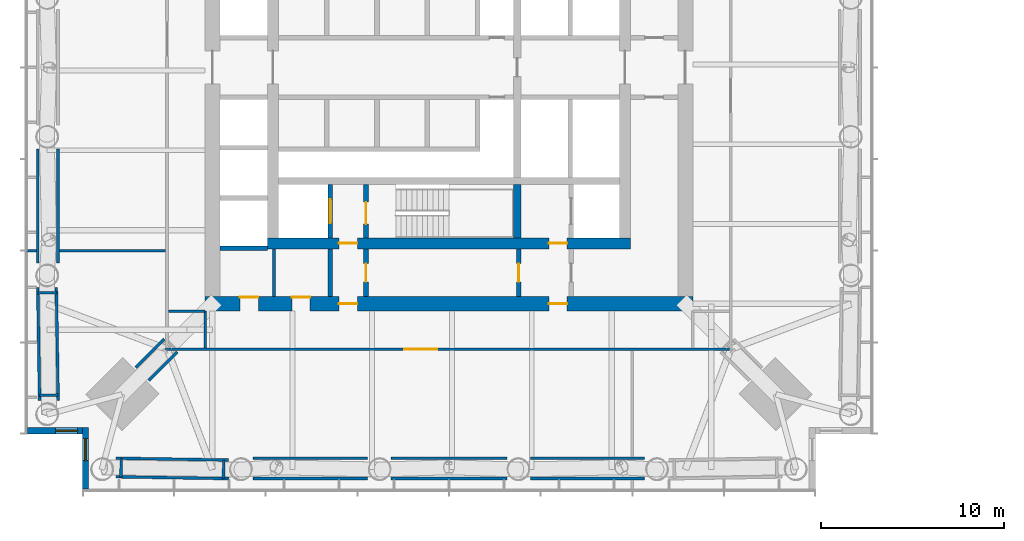
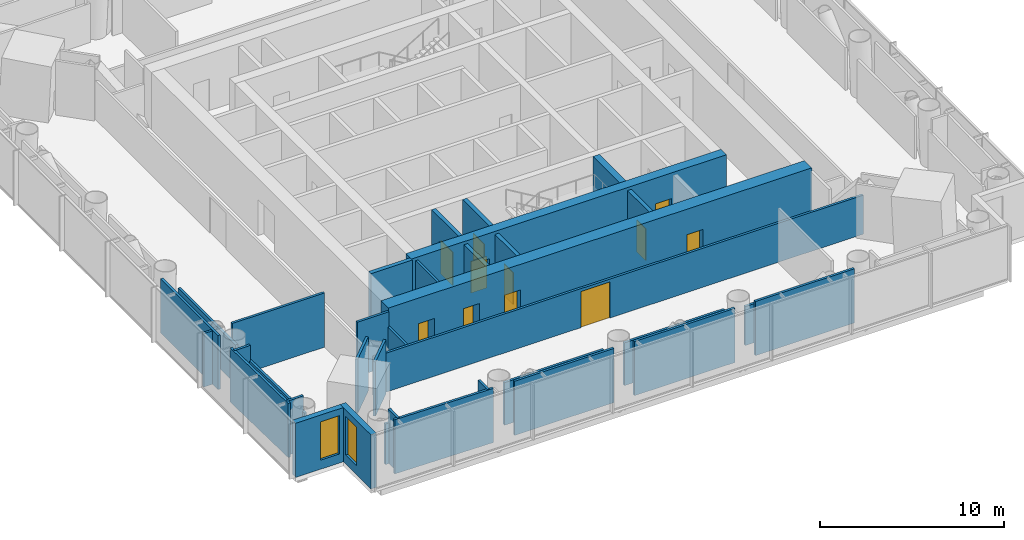
# One storey, part 10 of 18: 35 walls, 11 doors, 2 windows, 13 openings.
"""IFC4 building model written with IfcOpenShell, lengths in metres."""

from ifc_helpers import new_model, si_unit, direction, frame, frame_2d, origin, place, context, subcontext, project, spatial, rectangle, extrude, material, layer, layer_set, type_object, element, fill, save


model = new_model("IFC4")

# Units and contexts
model_context = context("Model", 3, precision=1e-05, world=origin(), true_north=direction((0.0, 1.0)))
body_context = subcontext(model_context, "Body", "Model", "MODEL_VIEW")
ifc_project = project(units=[si_unit("LENGTHUNIT", "METRE"), si_unit("AREAUNIT", "SQUARE_METRE"), si_unit("VOLUMEUNIT", "CUBIC_METRE"), si_unit("PLANEANGLEUNIT", "RADIAN"), si_unit("MASSUNIT", "GRAM", prefix="KILO")], contexts=[model_context])

# Site, building, storey
site_placement = place(None, origin())
site = spatial("IfcSite", under=ifc_project, at=site_placement, CompositionType="ELEMENT")
building_placement = place(site_placement, origin())
building = spatial("IfcBuilding", under=site, at=building_placement, Name="Ostroluk Exchange", CompositionType="ELEMENT")
storey_placement = place(building_placement, frame((0.0, 0.0, 85.60009765625)))
storey = spatial("IfcBuildingStorey", under=building, at=storey_placement, Name="L21", CompositionType="ELEMENT", Elevation=85.60009765625)

# Walls
ifc_material_1 = material(Name="Concrete blockwork", Category="masonry")
ifc_layer_1 = layer(ifc_material_1, 0.14990234375)
ifc_layer_set_1 = layer_set([ifc_layer_1], Name="Blockwork plant room wall 150")
wall_type_1 = type_object("IfcWallType", Name="Blockwork plant room wall 150", PredefinedType="SOLIDWALL", material=ifc_layer_set_1)
wall_1_placement = place(storey_placement, frame((35.449951171875, 33.5, 0.0), z_axis=(0.0, 0.0, 1.0), x_axis=(0.0, 1.0, 0.0)))
element("IfcWall", 1, at=wall_1_placement, inside=storey, type_object=wall_type_1, Name="Core room wall", PredefinedType="SOLIDWALL", context=body_context, shape_type="SweptSolid", body=[
    extrude(rectangle(XDim=2.60009765625, YDim=0.14990234375, at=frame_2d((1.300048828125, 0.0))), origin(), (0.0, 0.0, 1.0), 3.599853515625),
])
ifc_material_2 = material(Name="Concrete blockwork", Category="masonry")
ifc_layer_2 = layer(ifc_material_2, 0.25)
ifc_layer_set_2 = layer_set([ifc_layer_2], Name="Blockwork stair enclosure wall 250")
wall_type_2 = type_object("IfcWallType", Name="Blockwork stair enclosure wall 250", PredefinedType="SOLIDWALL", material=ifc_layer_set_2)
wall_2_placement = place(storey_placement, frame((38.52490234375, 33.5, 0.0), z_axis=(0.0, 0.0, 1.0), x_axis=(0.0, 1.0, 0.0)))
element("IfcWall", 2, at=wall_2_placement, inside=storey, type_object=wall_type_2, Name="Fire lobby enclosure wall", PredefinedType="SOLIDWALL", context=body_context, shape_type="SweptSolid", body=[
    extrude(rectangle(XDim=2.60009765625, YDim=0.25, at=frame_2d((1.300048828125, 0.0))), origin(), (0.0, 0.0, 1.0), 3.599853515625),
])

# Wall, opening, door
wall_3_placement = place(storey_placement, frame((40.47509765625, 33.5, 0.0), z_axis=(0.0, 0.0, 1.0), x_axis=(0.0, 1.0, 0.0)))
wall_3 = element("IfcWall", 3, at=wall_3_placement, inside=storey, type_object=wall_type_2, Name="Fire lobby enclosure wall", PredefinedType="SOLIDWALL", context=body_context, shape_type="SweptSolid", body=[
    extrude(rectangle(XDim=2.60009765625, YDim=0.25, at=frame_2d((1.300048828125, 0.0))), origin(), (0.0, 0.0, 1.0), 3.599853515625),
])
opening_1_placement = place(wall_3_placement, frame((0.800048828125, 0.0, 0.0)))
opening_1 = element("IfcOpeningElement", 4, at=opening_1_placement, cuts=wall_3, Name="Opening FD60", PredefinedType="OPENING", context=body_context, shape_type="SweptSolid", body=[
    extrude(rectangle(XDim=1.0, YDim=2.10009765625, at=frame_2d((0.5, 1.050048828125))), frame((0.0, 0.135009765625, 0.0), z_axis=(0.0, -1.0, 0.0), x_axis=(1.0, 0.0, 0.0)), (0.0, 0.0, 1.0), 0.27001953125),
])
ifc_material_3 = material(Name="Steel", Category="steel")
door_type_1 = type_object("IfcDoorType", Name="Fire door EI 60 1000 x 2100", OperationType="SINGLE_SWING_LEFT", PredefinedType="DOOR", material=ifc_material_3)
door_1_placement = place(opening_1_placement, origin())
door_1 = element("IfcDoor", 5, at=door_1_placement, inside=storey, type_object=door_type_1, Name="Core link door", OperationType="SINGLE_SWING_LEFT", OverallHeight=2.10009765625, OverallWidth=1.0, PredefinedType="DOOR", context=body_context, shape_type="SweptSolid", body=[
    extrude(rectangle(XDim=1.0, YDim=2.10009765625, at=frame_2d((0.5, 1.050048828125))), frame((0.0, 0.02490234375, 0.0), z_axis=(0.0, -1.0, 0.0), x_axis=(1.0, 0.0, 0.0)), (0.0, 0.0, 1.0), 0.050048828125),
])
fill(opening_1, door_1)

wall_4_placement = place(storey_placement, frame((48.804931640625, 33.5, 0.0), z_axis=(0.0, 0.0, 1.0), x_axis=(0.0, 1.0, 0.0)))
wall_4 = element("IfcWall", 6, at=wall_4_placement, inside=storey, type_object=wall_type_2, Name="Service lobby enclosure wall", PredefinedType="SOLIDWALL", context=body_context, shape_type="SweptSolid", body=[
    extrude(rectangle(XDim=2.60009765625, YDim=0.25, at=frame_2d((1.300048828125, 0.0))), origin(), (0.0, 0.0, 1.0), 3.599853515625),
])
opening_2_placement = place(wall_4_placement, frame((0.800048828125, 0.0, 0.0)))
opening_2 = element("IfcOpeningElement", 7, at=opening_2_placement, cuts=wall_4, Name="Opening FD60", PredefinedType="OPENING", context=body_context, shape_type="SweptSolid", body=[
    extrude(rectangle(XDim=1.0, YDim=2.10009765625, at=frame_2d((0.5, 1.050048828125))), frame((0.0, 0.135009765625, 0.0), z_axis=(0.0, -1.0, 0.0), x_axis=(1.0, 0.0, 0.0)), (0.0, 0.0, 1.0), 0.27001953125),
])
door_2_placement = place(opening_2_placement, origin())
door_2 = element("IfcDoor", 8, at=door_2_placement, inside=storey, type_object=door_type_1, Name="Core link door", OperationType="SINGLE_SWING_LEFT", OverallHeight=2.10009765625, OverallWidth=1.0, PredefinedType="DOOR", context=body_context, shape_type="SweptSolid", body=[
    extrude(rectangle(XDim=1.0, YDim=2.10009765625, at=frame_2d((0.5, 1.050048828125))), frame((0.0, 0.02490234375, 0.0), z_axis=(0.0, -1.0, 0.0), x_axis=(1.0, 0.0, 0.0)), (0.0, 0.0, 1.0), 0.050048828125),
])
fill(opening_2, door_2)

# Wall
ifc_material_4 = material(Name="Concrete C50/60", Category="concrete")
ifc_layer_3 = layer(ifc_material_4, 0.39990234375)
ifc_layer_set_3 = layer_set([ifc_layer_3], Name="Core cross wall 400 C50/60")
wall_type_3 = type_object("IfcWallType", Name="Core cross wall 400 C50/60", PredefinedType="SHEAR", material=ifc_layer_set_3)
wall_5_placement = place(storey_placement, frame((48.72998046875, 36.699951171875, 0.0), z_axis=(0.0, 0.0, 1.0), x_axis=(0.0, 1.0, 0.0)))
element("IfcWall", 9, at=wall_5_placement, inside=storey, type_object=wall_type_3, Name="T1 core wall YE1", PredefinedType="SHEAR", context=body_context, shape_type="SweptSolid", body=[
    extrude(rectangle(XDim=2.900146484375, YDim=0.39990234375, at=frame_2d((1.4501953125, 0.0))), origin(), (0.0, 0.0, 1.0), 3.7998046875),
])

# Wall, opening, door
ifc_material_5 = material(Name="Concrete C40/50", Category="concrete")
ifc_layer_4 = layer(ifc_material_5, 0.25)
ifc_layer_set_4 = layer_set([ifc_layer_4], Name="Core shaft wall 250")
wall_type_4 = type_object("IfcWallType", Name="Core shaft wall 250", PredefinedType="SHEAR", material=ifc_layer_set_4)
wall_6_placement = place(storey_placement, frame((38.52490234375, 36.699951171875, 0.0), z_axis=(0.0, 0.0, 1.0), x_axis=(0.0, 1.0, 0.0)))
wall_6 = element("IfcWall", 10, at=wall_6_placement, inside=storey, type_object=wall_type_4, Name="Firefighting lift shaft wall", PredefinedType="SHEAR", context=body_context, shape_type="SweptSolid", body=[
    extrude(rectangle(XDim=2.900146484375, YDim=0.25, at=frame_2d((1.4501953125, 0.0))), origin(), (0.0, 0.0, 1.0), 3.7998046875),
])
opening_3_placement = place(wall_6_placement, frame((0.800048828125, 0.0, 0.0)))
opening_3 = element("IfcOpeningElement", 11, at=opening_3_placement, cuts=wall_6, Name="Opening LD2", PredefinedType="OPENING", context=body_context, shape_type="SweptSolid", body=[
    extrude(rectangle(XDim=1.300048828125, YDim=2.199951171875, at=frame_2d((0.64990234375, 1.10009765625))), frame((0.0, 0.135009765625, 0.0), z_axis=(0.0, -1.0, 0.0), x_axis=(1.0, 0.0, 0.0)), (0.0, 0.0, 1.0), 0.27001953125),
])
ifc_material_6 = material(Name="Stainless steel", Category="steel")
door_type_2 = type_object("IfcDoorType", Name="Lift landing door E 60 1300 x 2200", OperationType="DOUBLE_DOOR_SLIDING", PredefinedType="DOOR", material=ifc_material_6)
door_3_placement = place(opening_3_placement, origin())
door_3 = element("IfcDoor", 12, at=door_3_placement, inside=storey, type_object=door_type_2, Name="Lift FL1 landing door", OperationType="DOUBLE_DOOR_SLIDING", OverallHeight=2.199951171875, OverallWidth=1.300048828125, PredefinedType="DOOR", context=body_context, shape_type="SweptSolid", body=[
    extrude(rectangle(XDim=1.300048828125, YDim=2.199951171875, at=frame_2d((0.64990234375, 1.10009765625))), frame((0.0, 0.02490234375, 0.0), z_axis=(0.0, -1.0, 0.0), x_axis=(1.0, 0.0, 0.0)), (0.0, 0.0, 1.0), 0.050048828125),
])
fill(opening_3, door_3)

wall_7_placement = place(storey_placement, frame((40.47509765625, 36.699951171875, 0.0), z_axis=(0.0, 0.0, 1.0), x_axis=(0.0, 1.0, 0.0)))
wall_7 = element("IfcWall", 13, at=wall_7_placement, inside=storey, type_object=wall_type_4, Name="Stair shaft wall", PredefinedType="SHEAR", context=body_context, shape_type="SweptSolid", body=[
    extrude(rectangle(XDim=2.900146484375, YDim=0.25, at=frame_2d((1.4501953125, 0.0))), origin(), (0.0, 0.0, 1.0), 3.7998046875),
])
opening_4_placement = place(wall_7_placement, frame((0.75, 0.0, 0.0)))
opening_4 = element("IfcOpeningElement", 14, at=opening_4_placement, cuts=wall_7, Name="Opening FD60S", PredefinedType="OPENING", context=body_context, shape_type="SweptSolid", body=[
    extrude(rectangle(XDim=1.199951171875, YDim=2.10009765625, at=frame_2d((0.60009765625, 1.050048828125))), frame((0.0, 0.135009765625, 0.0), z_axis=(0.0, -1.0, 0.0), x_axis=(1.0, 0.0, 0.0)), (0.0, 0.0, 1.0), 0.27001953125),
])
ifc_material_7 = material(Name="Steel", Category="steel")
door_type_3 = type_object("IfcDoorType", Name="Stair door EI 60 1200 x 2100", OperationType="SINGLE_SWING_LEFT", PredefinedType="DOOR", material=ifc_material_7)
door_4_placement = place(opening_4_placement, origin())
door_4 = element("IfcDoor", 15, at=door_4_placement, inside=storey, type_object=door_type_3, Name="Stair T1-S1 door", OperationType="SINGLE_SWING_LEFT", OverallHeight=2.10009765625, OverallWidth=1.199951171875, PredefinedType="DOOR", context=body_context, shape_type="SweptSolid", body=[
    extrude(rectangle(XDim=1.199951171875, YDim=2.10009765625, at=frame_2d((0.60009765625, 1.050048828125))), frame((0.0, 0.02490234375, 0.0), z_axis=(0.0, -1.0, 0.0), x_axis=(1.0, 0.0, 0.0)), (0.0, 0.0, 1.0), 0.050048828125),
])
fill(opening_4, door_4)

# Wall
wall_8_placement = place(storey_placement, frame((32.5, 36.125, 0.0), z_axis=(0.0, 0.0, 1.0), x_axis=(1.0, 0.0, 0.0)))
element("IfcWall", 16, at=wall_8_placement, inside=storey, type_object=wall_type_4, Name="Lift shaft wall", PredefinedType="SHEAR", context=body_context, shape_type="SweptSolid", body=[
    extrude(rectangle(XDim=2.60009765625, YDim=0.25, at=frame_2d((1.300048828125, 0.0))), origin(), (0.0, 0.0, 1.0), 3.7998046875),
])

# Wall, openings, doors
ifc_material_8 = material(Name="Concrete C50/60", Category="concrete")
ifc_layer_5 = layer(ifc_material_8, 0.60009765625)
ifc_layer_set_5 = layer_set([ifc_layer_5], Name="Core wall 600 C50/60")
wall_type_5 = type_object("IfcWallType", Name="Core wall 600 C50/60", PredefinedType="SHEAR", material=ifc_layer_set_5)
wall_9_placement = place(storey_placement, frame((35.10009765625, 36.39990234375, 0.0), z_axis=(0.0, 0.0, 1.0), x_axis=(1.0, 0.0, 0.0)))
wall_9 = element("IfcWall", 17, at=wall_9_placement, inside=storey, type_object=wall_type_5, Name="T1 core wall S", PredefinedType="SHEAR", context=body_context, shape_type="SweptSolid", body=[
    extrude(rectangle(XDim=19.7998046875, YDim=0.60009765625, at=frame_2d((9.89990234375, 0.0))), origin(), (0.0, 0.0, 1.0), 3.7998046875),
])
opening_5_placement = place(wall_9_placement, frame((3.89990234375, 0.0, 0.0)))
opening_5 = element("IfcOpeningElement", 18, at=opening_5_placement, cuts=wall_9, Name="Opening FD60", PredefinedType="OPENING", context=body_context, shape_type="SweptSolid", body=[
    extrude(rectangle(XDim=1.0, YDim=2.10009765625, at=frame_2d((0.5, 1.050048828125))), frame((0.0, 0.31005859375, 0.0), z_axis=(0.0, -1.0, 0.0), x_axis=(1.0, 0.0, 0.0)), (0.0, 0.0, 1.0), 0.6201171875),
])
opening_6_placement = place(wall_9_placement, frame((15.35009765625, 0.0, 0.0)))
opening_6 = element("IfcOpeningElement", 19, at=opening_6_placement, cuts=wall_9, Name="Opening FD60", PredefinedType="OPENING", context=body_context, shape_type="SweptSolid", body=[
    extrude(rectangle(XDim=1.0, YDim=2.10009765625, at=frame_2d((0.5, 1.050048828125))), frame((0.0, 0.31005859375, 0.0), z_axis=(0.0, -1.0, 0.0), x_axis=(1.0, 0.0, 0.0)), (0.0, 0.0, 1.0), 0.6201171875),
])
door_5_placement = place(opening_5_placement, origin())
door_5 = element("IfcDoor", 20, at=door_5_placement, inside=storey, type_object=door_type_1, Name="Firefighting lobby door", OperationType="SINGLE_SWING_LEFT", OverallHeight=2.10009765625, OverallWidth=1.0, PredefinedType="DOOR", context=body_context, shape_type="SweptSolid", body=[
    extrude(rectangle(XDim=1.0, YDim=2.10009765625, at=frame_2d((0.5, 1.050048828125))), frame((0.0, 0.02490234375, 0.0), z_axis=(0.0, -1.0, 0.0), x_axis=(1.0, 0.0, 0.0)), (0.0, 0.0, 1.0), 0.050048828125),
])
fill(opening_5, door_5)
door_6_placement = place(opening_6_placement, origin())
door_6 = element("IfcDoor", 21, at=door_6_placement, inside=storey, type_object=door_type_1, Name="Service lobby door", OperationType="SINGLE_SWING_RIGHT", OverallHeight=2.10009765625, OverallWidth=1.0, PredefinedType="DOOR", context=body_context, shape_type="SweptSolid", body=[
    extrude(rectangle(XDim=1.0, YDim=2.10009765625, at=frame_2d((0.5, 1.050048828125))), frame((0.0, 0.02490234375, 0.0), z_axis=(0.0, -1.0, 0.0), x_axis=(1.0, 0.0, 0.0)), (0.0, 0.0, 1.0), 0.050048828125),
])
fill(opening_6, door_6)

ifc_material_9 = material(Name="Concrete C50/60", Category="concrete")
ifc_layer_6 = layer(ifc_material_9, 0.800048828125)
ifc_layer_set_6 = layer_set([ifc_layer_6], Name="Core wall 800 C50/60")
wall_type_6 = type_object("IfcWallType", Name="Core wall 800 C50/60", PredefinedType="SHEAR", material=ifc_layer_set_6)
wall_10_placement = place(storey_placement, frame((31.699951171875, 33.10009765625, 0.0), z_axis=(0.0, 0.0, 1.0), x_axis=(1.0, 0.0, 0.0)))
wall_10 = element("IfcWall", 22, at=wall_10_placement, inside=storey, type_object=wall_type_6, Name="T1 core wall RS", PredefinedType="SHEAR", context=body_context, shape_type="SweptSolid", body=[
    extrude(rectangle(XDim=26.60009765625, YDim=0.800048828125, at=frame_2d((13.300048828125, 0.0))), origin(), (0.0, 0.0, 1.0), 3.7998046875),
])
opening_7_placement = place(wall_10_placement, frame((7.300048828125, 0.0, 0.0)))
opening_7 = element("IfcOpeningElement", 23, at=opening_7_placement, cuts=wall_10, Name="Opening FD60", PredefinedType="OPENING", context=body_context, shape_type="SweptSolid", body=[
    extrude(rectangle(XDim=1.0, YDim=2.10009765625, at=frame_2d((0.5, 1.050048828125))), frame((0.0, 0.409912109375, 0.0), z_axis=(0.0, -1.0, 0.0), x_axis=(1.0, 0.0, 0.0)), (0.0, 0.0, 1.0), 0.820068359375),
])
opening_8_placement = place(wall_10_placement, frame((18.75, 0.0, 0.0)))
opening_8 = element("IfcOpeningElement", 24, at=opening_8_placement, cuts=wall_10, Name="Opening FD60", PredefinedType="OPENING", context=body_context, shape_type="SweptSolid", body=[
    extrude(rectangle(XDim=1.0, YDim=2.10009765625, at=frame_2d((0.5, 1.050048828125))), frame((0.0, 0.409912109375, 0.0), z_axis=(0.0, -1.0, 0.0), x_axis=(1.0, 0.0, 0.0)), (0.0, 0.0, 1.0), 0.820068359375),
])
opening_9_placement = place(wall_10_placement, frame((1.89990234375, 0.0, 0.0)))
opening_9 = element("IfcOpeningElement", 25, at=opening_9_placement, cuts=wall_10, Name="Opening FD60", PredefinedType="OPENING", context=body_context, shape_type="SweptSolid", body=[
    extrude(rectangle(XDim=1.0, YDim=2.10009765625, at=frame_2d((0.5, 1.050048828125))), frame((0.0, 0.409912109375, 0.0), z_axis=(0.0, -1.0, 0.0), x_axis=(1.0, 0.0, 0.0)), (0.0, 0.0, 1.0), 0.820068359375),
])
opening_10_placement = place(wall_10_placement, frame((4.72509765625, 0.0, 0.0)))
opening_10 = element("IfcOpeningElement", 26, at=opening_10_placement, cuts=wall_10, Name="Opening FD60", PredefinedType="OPENING", context=body_context, shape_type="SweptSolid", body=[
    extrude(rectangle(XDim=1.0, YDim=2.10009765625, at=frame_2d((0.5, 1.050048828125))), frame((0.0, 0.409912109375, 0.0), z_axis=(0.0, -1.0, 0.0), x_axis=(1.0, 0.0, 0.0)), (0.0, 0.0, 1.0), 0.820068359375),
])
door_7_placement = place(opening_7_placement, origin())
door_7 = element("IfcDoor", 27, at=door_7_placement, inside=storey, type_object=door_type_1, Name="Firefighting lobby door", OperationType="SINGLE_SWING_LEFT", OverallHeight=2.10009765625, OverallWidth=1.0, PredefinedType="DOOR", context=body_context, shape_type="SweptSolid", body=[
    extrude(rectangle(XDim=1.0, YDim=2.10009765625, at=frame_2d((0.5, 1.050048828125))), frame((0.0, 0.02490234375, 0.0), z_axis=(0.0, -1.0, 0.0), x_axis=(1.0, 0.0, 0.0)), (0.0, 0.0, 1.0), 0.050048828125),
])
fill(opening_7, door_7)
door_8_placement = place(opening_8_placement, origin())
door_8 = element("IfcDoor", 28, at=door_8_placement, inside=storey, type_object=door_type_1, Name="Service lobby door", OperationType="SINGLE_SWING_RIGHT", OverallHeight=2.10009765625, OverallWidth=1.0, PredefinedType="DOOR", context=body_context, shape_type="SweptSolid", body=[
    extrude(rectangle(XDim=1.0, YDim=2.10009765625, at=frame_2d((0.5, 1.050048828125))), frame((0.0, 0.02490234375, 0.0), z_axis=(0.0, -1.0, 0.0), x_axis=(1.0, 0.0, 0.0)), (0.0, 0.0, 1.0), 0.050048828125),
])
fill(opening_8, door_8)
door_9_placement = place(opening_9_placement, origin())
door_9 = element("IfcDoor", 29, at=door_9_placement, inside=storey, type_object=door_type_1, Name="Plant control room door", OperationType="SINGLE_SWING_LEFT", OverallHeight=2.10009765625, OverallWidth=1.0, PredefinedType="DOOR", context=body_context, shape_type="SweptSolid", body=[
    extrude(rectangle(XDim=1.0, YDim=2.10009765625, at=frame_2d((0.5, 1.050048828125))), frame((0.0, 0.39013671875, 0.0), z_axis=(0.0, -1.0, 0.0), x_axis=(1.0, 0.0, 0.0)), (0.0, 0.0, 1.0), 0.050048828125),
])
fill(opening_9, door_9)
door_10_placement = place(opening_10_placement, origin())
door_10 = element("IfcDoor", 30, at=door_10_placement, inside=storey, type_object=door_type_1, Name="Plant control room door", OperationType="SINGLE_SWING_LEFT", OverallHeight=2.10009765625, OverallWidth=1.0, PredefinedType="DOOR", context=body_context, shape_type="SweptSolid", body=[
    extrude(rectangle(XDim=1.0, YDim=2.10009765625, at=frame_2d((0.5, 1.050048828125))), frame((0.0, 0.39013671875, 0.0), z_axis=(0.0, -1.0, 0.0), x_axis=(1.0, 0.0, 0.0)), (0.0, 0.0, 1.0), 0.050048828125),
])
fill(opening_10, door_10)

# Wall, opening, window
ifc_material_10 = material(Name="Limestone", Category="masonry")
ifc_layer_7 = layer(ifc_material_10, 0.35009765625)
ifc_layer_set_7 = layer_set([ifc_layer_7], Name="Limestone facade wall 350")
wall_type_7 = type_object("IfcWallType", Name="Limestone facade wall 350", PredefinedType="SOLIDWALL", material=ifc_layer_set_7)
wall_11_placement = place(storey_placement, frame((25.175048828125, 23.0, 0.0), z_axis=(0.0, 0.0, 1.0), x_axis=(0.0, 1.0, 0.0)))
wall_11 = element("IfcWall", 31, at=wall_11_placement, inside=storey, type_object=wall_type_7, Name="Office tower SW corner wall L21 a", PredefinedType="SOLIDWALL", context=body_context, shape_type="SweptSolid", body=[
    extrude(rectangle(XDim=3.35009765625, YDim=0.35009765625, at=frame_2d((1.675048828125, 0.0))), origin(), (0.0, 0.0, 1.0), 3.599853515625),
])
opening_11_placement = place(wall_11_placement, frame((1.550048828125, 0.0, 0.60009765625)))
opening_11 = element("IfcOpeningElement", 32, at=opening_11_placement, cuts=wall_11, Name="Opening WN-LV1", PredefinedType="OPENING", context=body_context, shape_type="SweptSolid", body=[
    extrude(rectangle(XDim=1.199951171875, YDim=2.550048828125, at=frame_2d((0.60009765625, 1.27490234375))), frame((0.0, 0.18505859375, 0.0), z_axis=(0.0, -1.0, 0.0), x_axis=(1.0, 0.0, 0.0)), (0.0, 0.0, 1.0), 0.3701171875),
])
ifc_material_11 = material(Name="Aluminium louvre", Category="aluminium")
window_type = type_object("IfcWindowType", Name="Lancet louvre 1200 x 2550", PartitioningType="SINGLE_PANEL", PredefinedType="USERDEFINED", material=ifc_material_11)
window_1_placement = place(opening_11_placement, origin())
window_1 = element("IfcWindow", 33, at=window_1_placement, inside=storey, type_object=window_type, Name="Office tower SW plant louvre L21", ObjectType="LOUVRE", OverallHeight=2.550048828125, OverallWidth=1.199951171875, PartitioningType="SINGLE_PANEL", PredefinedType="USERDEFINED", context=body_context, shape_type="SweptSolid", body=[
    extrude(rectangle(XDim=1.199951171875, YDim=2.550048828125, at=frame_2d((0.60009765625, 1.27490234375))), frame((0.0, 0.030029296875, 0.0), z_axis=(0.0, -1.0, 0.0), x_axis=(1.0, 0.0, 0.0)), (0.0, 0.0, 1.0), 0.06005859375),
])
fill(opening_11, window_1)

wall_12_placement = place(storey_placement, frame((25.0, 26.175048828125, 0.0), z_axis=(0.0, 0.0, 1.0), x_axis=(-1.0, 0.0, 0.0)))
wall_12 = element("IfcWall", 34, at=wall_12_placement, inside=storey, type_object=wall_type_7, Name="Office tower SW corner wall L21 b", PredefinedType="SOLIDWALL", context=body_context, shape_type="SweptSolid", body=[
    extrude(rectangle(XDim=3.0, YDim=0.35009765625, at=frame_2d((1.5, 0.0))), origin(), (0.0, 0.0, 1.0), 3.599853515625),
])
opening_12_placement = place(wall_12_placement, frame((0.25, 0.0, 0.60009765625)))
opening_12 = element("IfcOpeningElement", 35, at=opening_12_placement, cuts=wall_12, Name="Opening WN-LV1", PredefinedType="OPENING", context=body_context, shape_type="SweptSolid", body=[
    extrude(rectangle(XDim=1.199951171875, YDim=2.550048828125, at=frame_2d((0.60009765625, 1.27490234375))), frame((0.0, 0.18505859375, 0.0), z_axis=(0.0, -1.0, 0.0), x_axis=(1.0, 0.0, 0.0)), (0.0, 0.0, 1.0), 0.3701171875),
])
window_2_placement = place(opening_12_placement, origin())
window_2 = element("IfcWindow", 36, at=window_2_placement, inside=storey, type_object=window_type, Name="Office tower SW plant louvre L21", ObjectType="LOUVRE", OverallHeight=2.550048828125, OverallWidth=1.199951171875, PartitioningType="SINGLE_PANEL", PredefinedType="USERDEFINED", context=body_context, shape_type="SweptSolid", body=[
    extrude(rectangle(XDim=1.199951171875, YDim=2.550048828125, at=frame_2d((0.60009765625, 1.27490234375))), frame((0.0, 0.030029296875, 0.0), z_axis=(0.0, -1.0, 0.0), x_axis=(1.0, 0.0, 0.0)), (0.0, 0.0, 1.0), 0.06005859375),
])
fill(opening_12, window_2)

# Walls
ifc_material_12 = material(Name="Gypsum plasterboard partition", Category="gypsum")
ifc_layer_8 = layer(ifc_material_12, 0.14990234375)
ifc_layer_set_8 = layer_set([ifc_layer_8], Name="Plasterboard partition 150")
wall_type_8 = type_object("IfcWallType", Name="Plasterboard partition 150", PredefinedType="PARTITIONING", material=ifc_layer_set_8)
wall_13_placement = place(storey_placement, frame((31.699951171875, 32.699951171875, 0.0), z_axis=(0.0, 0.0, 1.0), x_axis=(-1.0, 0.0, 0.0)))
element("IfcWall", 37, at=wall_13_placement, inside=storey, type_object=wall_type_8, Name="Partition", PredefinedType="PARTITIONING", context=body_context, shape_type="SweptSolid", body=[
    extrude(rectangle(XDim=2.0, YDim=0.14990234375, at=frame_2d((1.0, 0.0))), origin(), (0.0, 0.0, 1.0), 3.599853515625),
])
wall_14_placement = place(storey_placement, frame((29.550048828125, 36.0, 0.0), z_axis=(0.0, 0.0, 1.0), x_axis=(-1.0, 0.0, 0.0)))
element("IfcWall", 38, at=wall_14_placement, inside=storey, type_object=wall_type_8, Name="Partition", PredefinedType="PARTITIONING", context=body_context, shape_type="SweptSolid", body=[
    extrude(rectangle(XDim=5.7978515625, YDim=0.14990234375, at=frame_2d((2.89892578125, 0.0))), origin(), (0.0, 0.0, 1.0), 3.599853515625),
])
wall_15_placement = place(storey_placement, frame((22.498779296875, 36.0, 0.0), z_axis=(0.0, 0.0, 1.0), x_axis=(-1.0, 0.0, 0.0)))
element("IfcWall", 39, at=wall_15_placement, inside=storey, type_object=wall_type_8, Name="Partition", PredefinedType="PARTITIONING", context=body_context, shape_type="SweptSolid", body=[
    extrude(rectangle(XDim=0.538818359375, YDim=0.14990234375, at=frame_2d((0.26953125, 0.0))), origin(), (0.0, 0.0, 1.0), 3.5498046875),
])
wall_16_placement = place(storey_placement, frame((31.699951171875, 32.699951171875, 0.0), z_axis=(0.0, 0.0, 1.0), x_axis=(0.0, -1.0, 0.0)))
element("IfcWall", 40, at=wall_16_placement, inside=storey, type_object=wall_type_8, Name="Partition", PredefinedType="PARTITIONING", context=body_context, shape_type="SweptSolid", body=[
    extrude(rectangle(XDim=2.0, YDim=0.14990234375, at=frame_2d((1.0, 0.0))), origin(), (0.0, 0.0, 1.0), 2.591796875),
])

# Wall, opening, door
wall_17_placement = place(storey_placement, frame((29.550048828125, 30.625, 0.0), z_axis=(0.0, 0.0, 1.0), x_axis=(1.0, 0.0, 0.0)))
wall_17 = element("IfcWall", 41, at=wall_17_placement, inside=storey, type_object=wall_type_8, Name="Partition", PredefinedType="PARTITIONING", context=body_context, shape_type="SweptSolid", body=[
    extrude(rectangle(XDim=30.75, YDim=0.14990234375, at=frame_2d((15.375, 0.0))), origin(), (0.0, 0.0, 1.0), 2.591796875),
])
opening_13_placement = place(wall_17_placement, frame((13.012451171875, 0.0, 0.0)))
opening_13 = element("IfcOpeningElement", 42, at=opening_13_placement, cuts=wall_17, Name="Opening D-04", PredefinedType="OPENING", context=body_context, shape_type="SweptSolid", body=[
    extrude(rectangle(XDim=1.800048828125, YDim=2.39990234375, at=frame_2d((0.89990234375, 1.199951171875))), frame((0.0, 0.0849609375, 0.0), z_axis=(0.0, -1.0, 0.0), x_axis=(1.0, 0.0, 0.0)), (0.0, 0.0, 1.0), 0.169921875),
])
ifc_material_13 = material(Name="Timber", Category="wood")
door_type_4 = type_object("IfcDoorType", Name="Double door 1800 x 2400", OperationType="DOUBLE_DOOR_SINGLE_SWING", PredefinedType="DOOR", material=ifc_material_13)
door_11_placement = place(opening_13_placement, origin())
door_11 = element("IfcDoor", 43, at=door_11_placement, inside=storey, type_object=door_type_4, Name="Refuge area door", OperationType="DOUBLE_DOOR_SINGLE_SWING", OverallHeight=2.39990234375, OverallWidth=1.800048828125, PredefinedType="DOOR", context=body_context, shape_type="SweptSolid", body=[
    extrude(rectangle(XDim=1.800048828125, YDim=2.39990234375, at=frame_2d((0.89990234375, 1.199951171875))), frame((0.0, 0.02490234375, 0.0), z_axis=(0.0, -1.0, 0.0), x_axis=(1.0, 0.0, 0.0)), (0.0, 0.0, 1.0), 0.050048828125),
])
fill(opening_13, door_11)

# Walls
wall_18_placement = place(storey_placement, frame((48.1533203125, 23.5732421875, 0.0), z_axis=(0.0, 0.0, 1.0), x_axis=(-1.0, 0.0, 0.0)))
element("IfcWall", 44, at=wall_18_placement, inside=storey, type_object=wall_type_8, Name="Partition", PredefinedType="PARTITIONING", context=body_context, shape_type="SweptSolid", body=[
    extrude(rectangle(XDim=6.306640625, YDim=0.14990234375, at=frame_2d((3.1533203125, 0.0))), origin(), (0.0, 0.0, 1.0), 3.599853515625),
])
wall_19_placement = place(storey_placement, frame((41.8466796875, 24.6767578125, 0.0), z_axis=(0.0, 0.0, 1.0), x_axis=(1.0, 0.0, 0.0)))
element("IfcWall", 45, at=wall_19_placement, inside=storey, type_object=wall_type_8, Name="Partition", PredefinedType="PARTITIONING", context=body_context, shape_type="SweptSolid", body=[
    extrude(rectangle(XDim=6.306640625, YDim=0.14990234375, at=frame_2d((3.1533203125, 0.0))), origin(), (0.0, 0.0, 1.0), 2.837890625),
])
wall_20_placement = place(storey_placement, frame((32.98876953125, 23.568359375, 0.0), z_axis=(0.0, 0.0, 1.0), x_axis=(-0.999867556826, 0.016274790516, 0.0)))
element("IfcWall", 46, at=wall_20_placement, inside=storey, type_object=wall_type_8, Name="Partition", PredefinedType="PARTITIONING", context=body_context, shape_type="SweptSolid", body=[
    extrude(rectangle(XDim=6.150390625, YDim=0.14990234375, at=frame_2d((3.0751953125, 0.0))), origin(), (0.0, 0.0, 1.0), 3.599853515625),
])
wall_21_placement = place(storey_placement, frame((27.109130859375, 23.6640625, 0.0), z_axis=(0.0, 0.0, 1.0), x_axis=(0.016146364379, 0.999869638962, 0.0)))
element("IfcWall", 47, at=wall_21_placement, inside=storey, type_object=wall_type_8, Name="Partition", PredefinedType="PARTITIONING", context=body_context, shape_type="SweptSolid", body=[
    extrude(rectangle(XDim=1.01318359375, YDim=0.14990234375, at=frame_2d((0.506591796875, 0.0))), origin(), (0.0, 0.0, 1.0), 3.599853515625),
])
wall_22_placement = place(storey_placement, frame((26.835693359375, 24.681640625, 0.0), z_axis=(0.0, 0.0, 1.0), x_axis=(0.999867546312, -0.016275436477, 0.0)))
element("IfcWall", 48, at=wall_22_placement, inside=storey, type_object=wall_type_8, Name="Partition", PredefinedType="PARTITIONING", context=body_context, shape_type="SweptSolid", body=[
    extrude(rectangle(XDim=6.150146484375, YDim=0.14990234375, at=frame_2d((3.0751953125, 0.0))), origin(), (0.0, 0.0, 1.0), 2.699951171875),
])
wall_23_placement = place(storey_placement, frame((32.71533203125, 24.5859375, 0.0), z_axis=(0.0, 0.0, 1.0), x_axis=(-0.016387290652, -0.999865719337, 0.0)))
element("IfcWall", 49, at=wall_23_placement, inside=storey, type_object=wall_type_8, Name="Partition", PredefinedType="PARTITIONING", context=body_context, shape_type="SweptSolid", body=[
    extrude(rectangle(XDim=1.01318359375, YDim=0.14990234375, at=frame_2d((0.506591796875, 0.0))), origin(), (0.0, 0.0, 1.0), 3.599853515625),
])
wall_24_placement = place(storey_placement, frame((40.561279296875, 23.572998046875, 0.0), z_axis=(0.0, 0.0, 1.0), x_axis=(-0.999999987755, 0.000156494521, 0.0)))
element("IfcWall", 50, at=wall_24_placement, inside=storey, type_object=wall_type_8, Name="Partition", PredefinedType="PARTITIONING", context=body_context, shape_type="SweptSolid", body=[
    extrude(rectangle(XDim=6.240234375, YDim=0.14990234375, at=frame_2d((3.1201171875, 0.0))), origin(), (0.0, 0.0, 1.0), 3.599853515625),
])
wall_25_placement = place(storey_placement, frame((34.321044921875, 24.67724609375, 0.0), z_axis=(0.0, 0.0, 1.0), x_axis=(0.999999987755, -0.000156494521, 0.0)))
element("IfcWall", 51, at=wall_25_placement, inside=storey, type_object=wall_type_8, Name="Partition", PredefinedType="PARTITIONING", context=body_context, shape_type="SweptSolid", body=[
    extrude(rectangle(XDim=6.240234375, YDim=0.14990234375, at=frame_2d((3.1201171875, 0.0))), origin(), (0.0, 0.0, 1.0), 2.837890625),
])
for number, where, z_axis, x_axis, name in (
    (52, (27.922119140625, 29.629150390625, 0.0), (0.0, 0.0, 1.0), (0.707106781187, 0.707106781187, 0.0), "Partition"),
    (53, (30.18212890625, 30.47509765625, 0.0), (0.0, 0.0, 1.0), (-0.707106781187, -0.707106781187, 0.0), "Partition"),
):
    element("IfcWall", number, at=place(storey_placement, frame(where, z_axis=z_axis, x_axis=x_axis)), inside=storey, type_object=wall_type_8, Name=name, PredefinedType="PARTITIONING", context=body_context, shape_type="SweptSolid", body=[
        extrude(rectangle(XDim=2.1962890625, YDim=0.14990234375, at=frame_2d((1.09814453125, 0.0))), origin(), (0.0, 0.0, 1.0), 3.599853515625),
    ])
wall_26_placement = place(storey_placement, frame((22.66845703125, 27.839111328125, 0.0), z_axis=(0.0, 0.0, 1.0), x_axis=(-0.016274790516, 0.999867556826, 0.0)))
element("IfcWall", 54, at=wall_26_placement, inside=storey, type_object=wall_type_8, Name="Partition", PredefinedType="PARTITIONING", context=body_context, shape_type="SweptSolid", body=[
    extrude(rectangle(XDim=6.150390625, YDim=0.14990234375, at=frame_2d((3.0751953125, 0.0))), origin(), (0.0, 0.0, 1.0), 3.599853515625),
])
wall_27_placement = place(storey_placement, frame((22.572998046875, 33.69873046875, 0.0), z_axis=(0.0, 0.0, 1.0), x_axis=(0.999865719337, 0.016387290652, 0.0)))
element("IfcWall", 55, at=wall_27_placement, inside=storey, type_object=wall_type_8, Name="Partition", PredefinedType="PARTITIONING", context=body_context, shape_type="SweptSolid", body=[
    extrude(rectangle(XDim=1.01318359375, YDim=0.14990234375, at=frame_2d((0.506591796875, 0.0))), origin(), (0.0, 0.0, 1.0), 3.599853515625),
])
wall_28_placement = place(storey_placement, frame((23.58154296875, 33.985107421875, 0.0), z_axis=(0.0, 0.0, 1.0), x_axis=(0.016275436477, -0.999867546312, 0.0)))
element("IfcWall", 56, at=wall_28_placement, inside=storey, type_object=wall_type_8, Name="Partition", PredefinedType="PARTITIONING", context=body_context, shape_type="SweptSolid", body=[
    extrude(rectangle(XDim=6.150146484375, YDim=0.14990234375, at=frame_2d((3.0751953125, 0.0))), origin(), (0.0, 0.0, 1.0), 2.591796875),
])
wall_29_placement = place(storey_placement, frame((23.677001953125, 28.12548828125, 0.0), z_axis=(0.0, 0.0, 1.0), x_axis=(-0.999869638962, -0.016146364379, 0.0)))
element("IfcWall", 57, at=wall_29_placement, inside=storey, type_object=wall_type_8, Name="Partition", PredefinedType="PARTITIONING", context=body_context, shape_type="SweptSolid", body=[
    extrude(rectangle(XDim=1.01318359375, YDim=0.14990234375, at=frame_2d((0.506591796875, 0.0))), origin(), (0.0, 0.0, 1.0), 3.599853515625),
])
wall_30_placement = place(storey_placement, frame((22.573974609375, 35.321044921875, 0.0), z_axis=(0.0, 0.0, 1.0), x_axis=(-0.000156494521, 0.999999987755, 0.0)))
element("IfcWall", 58, at=wall_30_placement, inside=storey, type_object=wall_type_8, Name="Partition", PredefinedType="PARTITIONING", context=body_context, shape_type="SweptSolid", body=[
    extrude(rectangle(XDim=6.240234375, YDim=0.14990234375, at=frame_2d((3.1201171875, 0.0))), origin(), (0.0, 0.0, 1.0), 3.599853515625),
])
wall_31_placement = place(storey_placement, frame((23.67626953125, 41.561279296875, 0.0), z_axis=(0.0, 0.0, 1.0), x_axis=(0.000156494521, -0.999999987755, 0.0)))
element("IfcWall", 59, at=wall_31_placement, inside=storey, type_object=wall_type_8, Name="Partition", PredefinedType="PARTITIONING", context=body_context, shape_type="SweptSolid", body=[
    extrude(rectangle(XDim=6.240234375, YDim=0.14990234375, at=frame_2d((3.1201171875, 0.0))), origin(), (0.0, 0.0, 1.0), 2.591796875),
])
wall_32_placement = place(storey_placement, frame((55.678955078125, 23.573974609375, 0.0), z_axis=(0.0, 0.0, 1.0), x_axis=(-0.999999987755, -0.000156494521, 0.0)))
element("IfcWall", 60, at=wall_32_placement, inside=storey, type_object=wall_type_8, Name="Partition", PredefinedType="PARTITIONING", context=body_context, shape_type="SweptSolid", body=[
    extrude(rectangle(XDim=6.240234375, YDim=0.14990234375, at=frame_2d((3.1201171875, 0.0))), origin(), (0.0, 0.0, 1.0), 3.599853515625),
])
wall_33_placement = place(storey_placement, frame((49.438720703125, 24.67626953125, 0.0), z_axis=(0.0, 0.0, 1.0), x_axis=(0.999999987755, 0.000156494521, 0.0)))
element("IfcWall", 61, at=wall_33_placement, inside=storey, type_object=wall_type_8, Name="Partition", PredefinedType="PARTITIONING", context=body_context, shape_type="SweptSolid", body=[
    extrude(rectangle(XDim=6.240234375, YDim=0.14990234375, at=frame_2d((3.1201171875, 0.0))), origin(), (0.0, 0.0, 1.0), 2.591796875),
])

save(model, "model.ifc")
